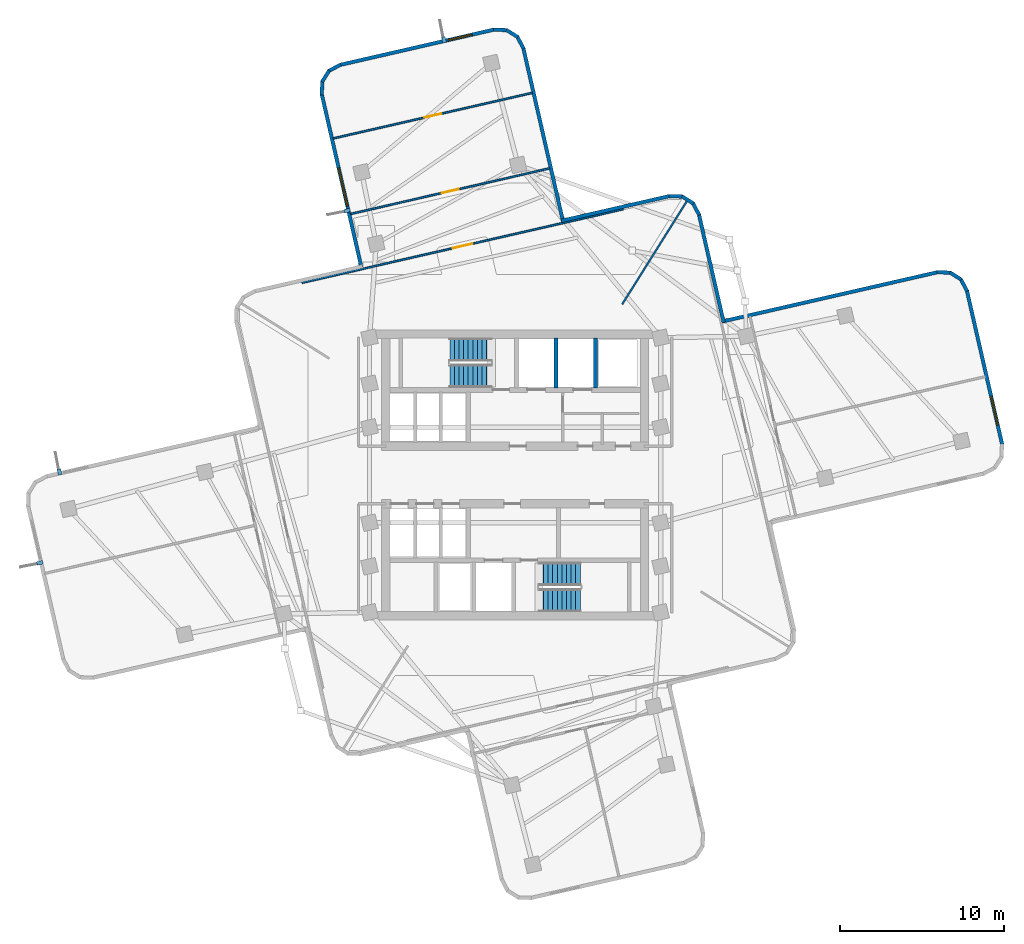
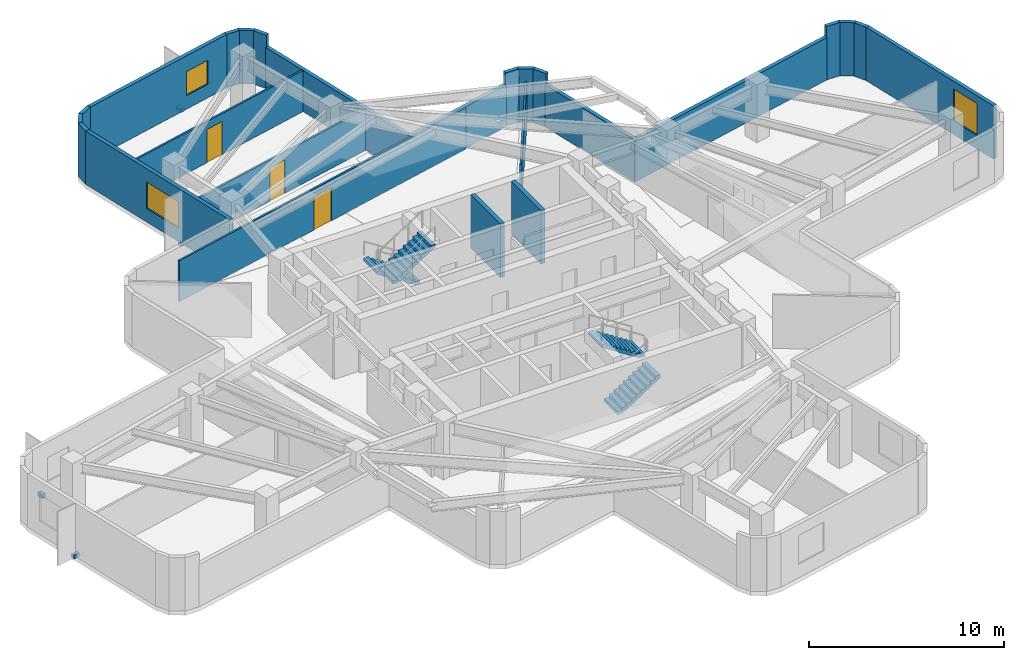
# One storey, part 5 of 8: 25 walls, 4 discrete accessories, 4 stair flights, 3 doors, 3 windows, 6 openings, 2 elements without a shape of their own.
"""IFC4 building model written with IfcOpenShell, lengths in metres."""

from ifc_helpers import new_model, si_unit, direction, frame, frame_2d, origin, origin_2d, place, context, subcontext, project, spatial, polyline, rectangle, outline, extrude, material, layer, layer_set, type_object, element, fill, aggregate, save


model = new_model("IFC4")

# Units and contexts
model_context = context("Model", 3, precision=1e-05, world=origin(), true_north=direction((0.0, 1.0)))
body_context = subcontext(model_context, "Body", "Model", "MODEL_VIEW")
ifc_project = project(units=[si_unit("LENGTHUNIT", "METRE"), si_unit("AREAUNIT", "SQUARE_METRE"), si_unit("VOLUMEUNIT", "CUBIC_METRE"), si_unit("PLANEANGLEUNIT", "RADIAN"), si_unit("MASSUNIT", "GRAM", prefix="KILO")], contexts=[model_context])

# Site, building, storey
site_placement = place(None, origin())
site = spatial("IfcSite", under=ifc_project, at=site_placement, CompositionType="ELEMENT")
building_placement = place(site_placement, origin())
building = spatial("IfcBuilding", under=site, at=building_placement, Name="Solmarez Civic Tower", CompositionType="ELEMENT")
storey_placement = place(building_placement, frame((0.0, 0.0, 123.47998046875)))
storey = spatial("IfcBuildingStorey", under=building, at=storey_placement, Name="L32", CompositionType="ELEMENT", Elevation=123.47998046875)

# Wall, opening, window
ifc_material_1 = material(Name="Precast concrete C40/50", Category="concrete")
ifc_layer_1 = layer(ifc_material_1, 0.219970703125)
ifc_layer_set_1 = layer_set([ifc_layer_1], Name="Precast concrete C40/50")
wall_type_1 = type_object("IfcWallType", Name="WALL-EXT-220", PredefinedType="SOLIDWALL", material=ifc_layer_set_1)
wall_1_placement = place(storey_placement, frame((-9.3349609375, 12.5849609375, 0.0), z_axis=(0.0, 0.0, 1.0), x_axis=(-0.22331741435, 0.974745778369, 0.0)))
wall_1 = element("IfcWall", 1, at=wall_1_placement, inside=storey, type_object=wall_type_1, Name="L32 Exterior Precast Wall 20", PredefinedType="SOLIDWALL", context=body_context, shape_type="SweptSolid", body=[
    extrude(rectangle(XDim=10.859130859375, YDim=0.219970703125, at=frame_2d((5.4296875, 0.0))), origin(), (0.0, 0.0, 1.0), 3.340087890625),
])
opening_1_placement = place(wall_1_placement, frame((3.85009765625, 0.0, 0.85009765625)))
opening_1 = element("IfcOpeningElement", 2, at=opening_1_placement, cuts=wall_1, Name="Opening W-10", PredefinedType="OPENING", context=body_context, shape_type="SweptSolid", body=[
    extrude(rectangle(XDim=2.39990234375, YDim=1.64990234375, at=frame_2d((1.199951171875, 0.824951171875))), frame((0.0, 0.119873046875, 0.0), z_axis=(0.0, -1.0, 0.0), x_axis=(1.0, 0.0, 0.0)), (0.0, 0.0, 1.0), 0.239990234375),
])
ifc_material_2 = material(Name="Solar Control Bronze-Tinted Insulating Glass", Category="glass")
window_type_1 = type_object("IfcWindowType", Name="WIN-2400X1650", PartitioningType="SINGLE_PANEL", PredefinedType="WINDOW", material=ifc_material_2)
window_1_placement = place(opening_1_placement, origin())
window_1 = element("IfcWindow", 3, at=window_1_placement, inside=storey, type_object=window_type_1, Name="L32 Exterior Facade Window 20", OverallHeight=1.64990234375, OverallWidth=2.39990234375, PartitioningType="SINGLE_PANEL", PredefinedType="WINDOW", context=body_context, shape_type="SweptSolid", body=[
    extrude(rectangle(XDim=2.39990234375, YDim=1.64990234375, at=frame_2d((1.199951171875, 0.824951171875))), frame((0.0, 0.030029296875, 0.0), z_axis=(0.0, -1.0, 0.0), x_axis=(1.0, 0.0, 0.0)), (0.0, 0.0, 1.0), 0.06005859375),
])
fill(opening_1, window_1)

# Walls
wall_2_placement = place(storey_placement, frame((-11.7548828125, 23.12109375, 0.0), z_axis=(0.0, 0.0, 1.0), x_axis=(0.036903333482, 0.999318839999, 0.0)))
element("IfcWall", 4, at=wall_2_placement, inside=storey, type_object=wall_type_1, Name="L32 Exterior Precast Wall 21", PredefinedType="SOLIDWALL", context=body_context, shape_type="SweptSolid", body=[
    extrude(rectangle(XDim=0.83349609375, YDim=0.219970703125, at=frame_2d((0.416748046875, 0.0))), origin(), (0.0, 0.0, 1.0), 3.340087890625),
])
wall_3_placement = place(storey_placement, frame((-11.738037109375, 23.907958984375, 0.0), z_axis=(0.0, 0.0, 1.0), x_axis=(0.531096868492, 0.847311109497, 0.0)))
element("IfcWall", 5, at=wall_3_placement, inside=storey, type_object=wall_type_1, Name="L32 Exterior Precast Wall 22", PredefinedType="SOLIDWALL", context=body_context, shape_type="SweptSolid", body=[
    extrude(rectangle(XDim=0.819091796875, YDim=0.219970703125, at=frame_2d((0.40966796875, 0.0))), origin(), (0.0, 0.0, 1.0), 3.340087890625),
])
wall_4_placement = place(storey_placement, frame((-11.337890625, 24.569091796875, 0.0), z_axis=(0.0, 0.0, 1.0), x_axis=(0.883396009524, 0.468627240307, 0.0)))
element("IfcWall", 6, at=wall_4_placement, inside=storey, type_object=wall_type_1, Name="L32 Exterior Precast Wall 23", PredefinedType="SOLIDWALL", context=body_context, shape_type="SweptSolid", body=[
    extrude(rectangle(XDim=0.833984375, YDim=0.219970703125, at=frame_2d((0.4169921875, 0.0))), origin(), (0.0, 0.0, 1.0), 3.340087890625),
])

# Wall, opening, window
wall_5_placement = place(storey_placement, frame((-10.64697265625, 24.94189453125, 0.0), z_axis=(0.0, 0.0, 1.0), x_axis=(0.974725871537, 0.223404286793, 0.0)))
wall_5 = element("IfcWall", 7, at=wall_5_placement, inside=storey, type_object=wall_type_1, Name="L32 Exterior Precast Wall 24", PredefinedType="SOLIDWALL", context=body_context, shape_type="SweptSolid", body=[
    extrude(rectangle(XDim=9.6201171875, YDim=0.219970703125, at=frame_2d((4.81005859375, 0.0))), origin(), (0.0, 0.0, 1.0), 3.340087890625),
])
opening_2_placement = place(wall_5_placement, frame((6.75390625, 0.0, 0.85009765625)))
opening_2 = element("IfcOpeningElement", 8, at=opening_2_placement, cuts=wall_5, Name="Opening W-14", PredefinedType="OPENING", context=body_context, shape_type="SweptSolid", body=[
    extrude(rectangle(XDim=1.5, YDim=1.5, at=frame_2d((0.75, 0.75))), frame((0.0, 0.119873046875, 0.0), z_axis=(0.0, -1.0, 0.0), x_axis=(1.0, 0.0, 0.0)), (0.0, 0.0, 1.0), 0.239990234375),
])
window_type_2 = type_object("IfcWindowType", Name="WIN-1500X1500", PartitioningType="SINGLE_PANEL", PredefinedType="WINDOW", material=ifc_material_2)
window_2_placement = place(opening_2_placement, origin())
window_2 = element("IfcWindow", 9, at=window_2_placement, inside=storey, type_object=window_type_2, Name="L32 Exterior Facade Window 24", OverallHeight=1.5, OverallWidth=1.5, PartitioningType="SINGLE_PANEL", PredefinedType="WINDOW", context=body_context, shape_type="SweptSolid", body=[
    extrude(rectangle(XDim=1.5, YDim=1.5, at=frame_2d((0.75, 0.75))), frame((0.0, 0.030029296875, 0.0), z_axis=(0.0, -1.0, 0.0), x_axis=(1.0, 0.0, 0.0)), (0.0, 0.0, 1.0), 0.06005859375),
])
fill(opening_2, window_2)

# Walls
wall_6_placement = place(storey_placement, frame((-1.319091796875, 27.0859375, 0.0), z_axis=(0.0, 0.0, 1.0), x_axis=(0.999309614288, -0.037152318798, 0.0)))
element("IfcWall", 10, at=wall_6_placement, inside=storey, type_object=wall_type_1, Name="L32 Exterior Precast Wall 25", PredefinedType="SOLIDWALL", context=body_context, shape_type="SweptSolid", body=[
    extrude(rectangle(XDim=0.83447265625, YDim=0.219970703125, at=frame_2d((0.417236328125, 0.0))), origin(), (0.0, 0.0, 1.0), 3.340087890625),
])
wall_7_placement = place(storey_placement, frame((-0.531005859375, 27.069091796875, 0.0), z_axis=(0.0, 0.0, 1.0), x_axis=(0.847311109497, -0.531096868492, 0.0)))
element("IfcWall", 11, at=wall_7_placement, inside=storey, type_object=wall_type_1, Name="L32 Exterior Precast Wall 26", PredefinedType="SOLIDWALL", context=body_context, shape_type="SweptSolid", body=[
    extrude(rectangle(XDim=0.819091796875, YDim=0.219970703125, at=frame_2d((0.40966796875, 0.0))), origin(), (0.0, 0.0, 1.0), 3.340087890625),
])
wall_8_placement = place(storey_placement, frame((0.1298828125, 26.6689453125, 0.0), z_axis=(0.0, 0.0, 1.0), x_axis=(0.468734444521, -0.883339131092, 0.0)))
element("IfcWall", 12, at=wall_8_placement, inside=storey, type_object=wall_type_1, Name="L32 Exterior Precast Wall 27", PredefinedType="SOLIDWALL", context=body_context, shape_type="SweptSolid", body=[
    extrude(rectangle(XDim=0.83447265625, YDim=0.219970703125, at=frame_2d((0.417236328125, 0.0))), origin(), (0.0, 0.0, 1.0), 3.340087890625),
])
wall_9_placement = place(storey_placement, frame((0.5029296875, 25.97802734375, 0.0), z_axis=(0.0, 0.0, 1.0), x_axis=(0.223251537739, -0.974760868571, 0.0)))
element("IfcWall", 13, at=wall_9_placement, inside=storey, type_object=wall_type_1, Name="L32 Exterior Precast Wall 28", PredefinedType="SOLIDWALL", context=body_context, shape_type="SweptSolid", body=[
    extrude(rectangle(XDim=10.85791015625, YDim=0.219970703125, at=frame_2d((5.428955078125, 0.0))), origin(), (0.0, 0.0, 1.0), 2.570068359375),
])
wall_10_placement = place(storey_placement, frame((2.821044921875, 15.4599609375, 0.0), z_axis=(0.0, 0.0, 1.0), x_axis=(0.974754598481, 0.223278912438, 0.0)))
element("IfcWall", 14, at=wall_10_placement, inside=storey, type_object=wall_type_1, Name="L32 Exterior Precast Wall 31", PredefinedType="SOLIDWALL", context=body_context, shape_type="SweptSolid", body=[
    extrude(rectangle(XDim=6.758544921875, YDim=0.219970703125, at=frame_2d((3.37939453125, 0.0))), origin(), (0.0, 0.0, 1.0), 2.570068359375),
])
wall_11_placement = place(storey_placement, frame((9.360107421875, 16.964111328125, 0.0), z_axis=(0.0, 0.0, 1.0), x_axis=(0.999352376715, -0.035983706773, 0.0)))
element("IfcWall", 15, at=wall_11_placement, inside=storey, type_object=wall_type_1, Name="L32 Exterior Precast Wall 32", PredefinedType="SOLIDWALL", context=body_context, shape_type="SweptSolid", body=[
    extrude(rectangle(XDim=0.83447265625, YDim=0.219970703125, at=frame_2d((0.417236328125, 0.0))), origin(), (0.0, 0.0, 1.0), 3.340087890625),
])
wall_12_placement = place(storey_placement, frame((10.14794921875, 16.947998046875, 0.0), z_axis=(0.0, 0.0, 1.0), x_axis=(0.847311109497, -0.531096868492, 0.0)))
element("IfcWall", 16, at=wall_12_placement, inside=storey, type_object=wall_type_1, Name="L32 Exterior Precast Wall 33", PredefinedType="SOLIDWALL", context=body_context, shape_type="SweptSolid", body=[
    extrude(rectangle(XDim=0.819091796875, YDim=0.219970703125, at=frame_2d((0.40966796875, 0.0))), origin(), (0.0, 0.0, 1.0), 3.340087890625),
])
wall_13_placement = place(storey_placement, frame((10.80908203125, 16.548095703125, 0.0), z_axis=(0.0, 0.0, 1.0), x_axis=(0.468506090516, -0.883460266876, 0.0)))
element("IfcWall", 17, at=wall_13_placement, inside=storey, type_object=wall_type_1, Name="L32 Exterior Precast Wall 34", PredefinedType="SOLIDWALL", context=body_context, shape_type="SweptSolid", body=[
    extrude(rectangle(XDim=0.834228515625, YDim=0.219970703125, at=frame_2d((0.4169921875, 0.0))), origin(), (0.0, 0.0, 1.0), 3.340087890625),
])
wall_14_placement = place(storey_placement, frame((11.181884765625, 15.85693359375, 0.0), z_axis=(0.0, 0.0, 1.0), x_axis=(0.223278912438, -0.974754598481, 0.0)))
element("IfcWall", 18, at=wall_14_placement, inside=storey, type_object=wall_type_1, Name="L32 Exterior Precast Wall 35", PredefinedType="SOLIDWALL", context=body_context, shape_type="SweptSolid", body=[
    extrude(rectangle(XDim=6.758544921875, YDim=0.219970703125, at=frame_2d((3.37939453125, 0.0))), origin(), (0.0, 0.0, 1.0), 2.64404296875),
])
wall_15_placement = place(storey_placement, frame((12.5849609375, 9.3349609375, 0.0), z_axis=(0.0, 0.0, 1.0), x_axis=(0.974754036658, 0.223281365141, 0.0)))
element("IfcWall", 19, at=wall_15_placement, inside=storey, type_object=wall_type_1, Name="L32 Exterior Precast Wall 38", PredefinedType="SOLIDWALL", context=body_context, shape_type="SweptSolid", body=[
    extrude(rectangle(XDim=13.458984375, YDim=0.219970703125, at=frame_2d((6.7294921875, 0.0))), origin(), (0.0, 0.0, 1.0), 2.64404296875),
])
wall_16_placement = place(storey_placement, frame((25.655029296875, 12.3349609375, 0.0), z_axis=(0.0, 0.0, 1.0), x_axis=(0.999352376715, -0.035983706773, 0.0)))
element("IfcWall", 20, at=wall_16_placement, inside=storey, type_object=wall_type_1, Name="L32 Exterior Precast Wall 39", PredefinedType="SOLIDWALL", context=body_context, shape_type="SweptSolid", body=[
    extrude(rectangle(XDim=0.83447265625, YDim=0.219970703125, at=frame_2d((0.417236328125, 0.0))), origin(), (0.0, 0.0, 1.0), 3.340087890625),
])
wall_17_placement = place(storey_placement, frame((26.443115234375, 12.319091796875, 0.0), z_axis=(0.0, 0.0, 1.0), x_axis=(0.846889988853, -0.531768132536, 0.0)))
element("IfcWall", 21, at=wall_17_placement, inside=storey, type_object=wall_type_1, Name="L32 Exterior Precast Wall 40", PredefinedType="SOLIDWALL", context=body_context, shape_type="SweptSolid", body=[
    extrude(rectangle(XDim=0.818115234375, YDim=0.219970703125, at=frame_2d((0.4091796875, 0.0))), origin(), (0.0, 0.0, 1.0), 3.340087890625),
])
wall_18_placement = place(storey_placement, frame((27.10302734375, 11.9189453125, 0.0), z_axis=(0.0, 0.0, 1.0), x_axis=(0.468506090516, -0.883460266876, 0.0)))
element("IfcWall", 22, at=wall_18_placement, inside=storey, type_object=wall_type_1, Name="L32 Exterior Precast Wall 41", PredefinedType="SOLIDWALL", context=body_context, shape_type="SweptSolid", body=[
    extrude(rectangle(XDim=0.834228515625, YDim=0.219970703125, at=frame_2d((0.4169921875, 0.0))), origin(), (0.0, 0.0, 1.0), 3.340087890625),
])

# Wall, opening, window
wall_19_placement = place(storey_placement, frame((27.47607421875, 11.22802734375, 0.0), z_axis=(0.0, 0.0, 1.0), x_axis=(0.223358074049, -0.974736462208, 0.0)))
wall_19 = element("IfcWall", 23, at=wall_19_placement, inside=storey, type_object=wall_type_1, Name="L32 Exterior Precast Wall 42", PredefinedType="SOLIDWALL", context=body_context, shape_type="SweptSolid", body=[
    extrude(rectangle(XDim=9.62109375, YDim=0.219970703125, at=frame_2d((4.810546875, 0.0))), origin(), (0.0, 0.0, 1.0), 3.340087890625),
])
opening_3_placement = place(wall_19_placement, frame((6.60400390625, 0.0, 0.85009765625)))
opening_3 = element("IfcOpeningElement", 24, at=opening_3_placement, cuts=wall_19, Name="Opening W-04", PredefinedType="OPENING", context=body_context, shape_type="SweptSolid", body=[
    extrude(rectangle(XDim=1.800048828125, YDim=2.0, at=frame_2d((0.89990234375, 1.0))), frame((0.0, 0.119873046875, 0.0), z_axis=(0.0, -1.0, 0.0), x_axis=(1.0, 0.0, 0.0)), (0.0, 0.0, 1.0), 0.239990234375),
])
window_type_3 = type_object("IfcWindowType", Name="WIN-1800X2000", PartitioningType="SINGLE_PANEL", PredefinedType="WINDOW", material=ifc_material_2)
window_3_placement = place(opening_3_placement, origin())
window_3 = element("IfcWindow", 25, at=window_3_placement, inside=storey, type_object=window_type_3, Name="L32 Exterior Facade Window 42", OverallHeight=2.0, OverallWidth=1.800048828125, PartitioningType="SINGLE_PANEL", PredefinedType="WINDOW", context=body_context, shape_type="SweptSolid", body=[
    extrude(rectangle(XDim=1.800048828125, YDim=2.0, at=frame_2d((0.89990234375, 1.0))), frame((0.0, 0.030029296875, 0.0), z_axis=(0.0, -1.0, 0.0), x_axis=(1.0, 0.0, 0.0)), (0.0, 0.0, 1.0), 0.06005859375),
])
fill(opening_3, window_3)

# Wall
ifc_material_3 = material(Name="Gypsum Board Acoustic Steel-Stud Partition", Category="steel")
ifc_layer_2 = layer(ifc_material_3, 0.110107421875)
ifc_layer_set_2 = layer_set([ifc_layer_2], Name="Gypsum Board Acoustic Steel-Stud Partition")
wall_type_2 = type_object("IfcWallType", Name="WALL-INT-PART-110", PredefinedType="PARTITIONING", material=ifc_layer_set_2)
wall_20_placement = place(storey_placement, frame((6.511962890625, 10.3798828125, 0.0), z_axis=(0.0, 0.0, 1.0), x_axis=(0.531323053356, 0.847169294163, 0.0)))
element("IfcWall", 26, at=wall_20_placement, inside=storey, type_object=wall_type_2, Name="L32 Interior Partition PT-L32-QDIV-1", PredefinedType="PARTITIONING", context=body_context, shape_type="SweptSolid", body=[
    extrude(rectangle(XDim=7.42138671875, YDim=0.110107421875, at=frame_2d((3.710693359375, 0.0))), origin(), (0.0, 0.0, 1.0), 2.570068359375),
])

# Wall, opening, door
wall_21_placement = place(storey_placement, frame((-12.95703125, 11.69189453125, 0.0), z_axis=(0.0, 0.0, 1.0), x_axis=(0.97475845088, 0.223262093598, 0.0)))
wall_21 = element("IfcWall", 27, at=wall_21_placement, inside=storey, type_object=wall_type_2, Name="L32 Interior Partition PT-L32-N-ENT", PredefinedType="PARTITIONING", context=body_context, shape_type="SweptSolid", body=[
    extrude(rectangle(XDim=20.039794921875, YDim=0.110107421875, at=frame_2d((10.02001953125, 0.0))), origin(), (0.0, 0.0, 1.0), 2.570068359375),
])
opening_4_placement = place(wall_21_placement, frame((9.419921875, 0.0, 0.0)))
opening_4 = element("IfcOpeningElement", 28, at=opening_4_placement, cuts=wall_21, Name="Opening D-11", PredefinedType="OPENING", context=body_context, shape_type="SweptSolid", body=[
    extrude(rectangle(XDim=1.199951171875, YDim=2.10009765625, at=frame_2d((0.60009765625, 1.050048828125))), frame((0.0, 0.06494140625, 0.0), z_axis=(0.0, -1.0, 0.0), x_axis=(1.0, 0.0, 0.0)), (0.0, 0.0, 1.0), 0.130126953125),
])
ifc_material_4 = material(Name="Glazed-Vision Acoustic Chamber Door", Category="wood")
door_type_1 = type_object("IfcDoorType", Name="DOOR-INT-1200", OperationType="NOTDEFINED", PredefinedType="DOOR", material=ifc_material_4)
door_1_placement = place(opening_4_placement, origin())
door_1 = element("IfcDoor", 29, at=door_1_placement, inside=storey, type_object=door_type_1, Name="L32 Civic Seminar Classroom First North Door", OperationType="SINGLE_SWING_LEFT", OverallHeight=2.10009765625, OverallWidth=1.199951171875, PredefinedType="DOOR", context=body_context, shape_type="SweptSolid", body=[
    extrude(rectangle(XDim=1.199951171875, YDim=2.10009765625, at=frame_2d((0.60009765625, 1.050048828125))), frame((0.0, 0.02490234375, 0.0), z_axis=(0.0, -1.0, 0.0), x_axis=(1.0, 0.0, 0.0)), (0.0, 0.0, 1.0), 0.050048828125),
])
fill(opening_4, door_1)

wall_22_placement = place(storey_placement, frame((-10.011962890625, 15.875, 0.0), z_axis=(0.0, 0.0, 1.0), x_axis=(0.974744523099, 0.223322893337, 0.0)))
wall_22 = element("IfcWall", 30, at=wall_22_placement, inside=storey, type_object=wall_type_2, Name="L32 Interior Partition PT-L32-N-SC1", PredefinedType="PARTITIONING", context=body_context, shape_type="SweptSolid", body=[
    extrude(rectangle(XDim=12.429931640625, YDim=0.110107421875, at=frame_2d((6.21484375, 0.0))), origin(), (0.0, 0.0, 1.0), 2.570068359375),
])
opening_5_placement = place(wall_22_placement, frame((5.68994140625, 0.0, 0.0)))
opening_5 = element("IfcOpeningElement", 31, at=opening_5_placement, cuts=wall_22, Name="Opening D-13", PredefinedType="OPENING", context=body_context, shape_type="SweptSolid", body=[
    extrude(rectangle(XDim=1.050048828125, YDim=2.080078125, at=frame_2d((0.52490234375, 1.0400390625))), frame((0.0, 0.06494140625, 0.0), z_axis=(0.0, -1.0, 0.0), x_axis=(1.0, 0.0, 0.0)), (0.0, 0.0, 1.0), 0.130126953125),
])
ifc_material_5 = material(Name="Timber Directorate Office Door", Category="wood")
door_type_2 = type_object("IfcDoorType", Name="DOOR-INT-1050", OperationType="NOTDEFINED", PredefinedType="DOOR", material=ifc_material_5)
door_2_placement = place(opening_5_placement, origin())
door_2 = element("IfcDoor", 32, at=door_2_placement, inside=storey, type_object=door_type_2, Name="L32 Public Law Reading Room North Door", OperationType="SINGLE_SWING_LEFT", OverallHeight=2.080078125, OverallWidth=1.050048828125, PredefinedType="DOOR", context=body_context, shape_type="SweptSolid", body=[
    extrude(rectangle(XDim=1.050048828125, YDim=2.080078125, at=frame_2d((0.52490234375, 1.0400390625))), frame((0.0, 0.02490234375, 0.0), z_axis=(0.0, -1.0, 0.0), x_axis=(1.0, 0.0, 0.0)), (0.0, 0.0, 1.0), 0.050048828125),
])
fill(opening_5, door_2)

wall_23_placement = place(storey_placement, frame((-11.06298828125, 20.466064453125, 0.0), z_axis=(0.0, 0.0, 1.0), x_axis=(0.974744523099, 0.223322893337, 0.0)))
wall_23 = element("IfcWall", 33, at=wall_23_placement, inside=storey, type_object=wall_type_2, Name="L32 Interior Partition PT-L32-N-SC2", PredefinedType="PARTITIONING", context=body_context, shape_type="SweptSolid", body=[
    extrude(rectangle(XDim=12.429931640625, YDim=0.110107421875, at=frame_2d((6.21484375, 0.0))), origin(), (0.0, 0.0, 1.0), 2.570068359375),
])
opening_6_placement = place(wall_23_placement, frame((5.68994140625, 0.0, 0.0)))
opening_6 = element("IfcOpeningElement", 34, at=opening_6_placement, cuts=wall_23, Name="Opening D-13", PredefinedType="OPENING", context=body_context, shape_type="SweptSolid", body=[
    extrude(rectangle(XDim=1.050048828125, YDim=2.080078125, at=frame_2d((0.52490234375, 1.0400390625))), frame((0.0, 0.06494140625, 0.0), z_axis=(0.0, -1.0, 0.0), x_axis=(1.0, 0.0, 0.0)), (0.0, 0.0, 1.0), 0.130126953125),
])
door_3_placement = place(opening_6_placement, origin())
door_3 = element("IfcDoor", 35, at=door_3_placement, inside=storey, type_object=door_type_2, Name="L32 Municipal Co-Working Office North Door", OperationType="SINGLE_SWING_RIGHT", OverallHeight=2.080078125, OverallWidth=1.050048828125, PredefinedType="DOOR", context=body_context, shape_type="SweptSolid", body=[
    extrude(rectangle(XDim=1.050048828125, YDim=2.080078125, at=frame_2d((0.52490234375, 1.0400390625))), frame((0.0, 0.02490234375, 0.0), z_axis=(0.0, -1.0, 0.0), x_axis=(1.0, 0.0, 0.0)), (0.0, 0.0, 1.0), 0.050048828125),
])
fill(opening_6, door_3)

# Walls
ifc_material_6 = material(Name="Concrete C50/60", Category="concrete")
ifc_layer_3 = layer(ifc_material_6, 0.300048828125)
ifc_layer_set_3 = layer_set([ifc_layer_3], Name="Concrete C50/60")
wall_type_3 = type_object("IfcWallType", Name="WALL-STR-300", PredefinedType="SOLIDWALL", material=ifc_layer_set_3)
for number, where, z_axis, x_axis, name in (
    (36, (2.5, 5.300048828125, 0.0), (0.0, 0.0, 1.0), (0.0, 1.0, 0.0), "L32 Split-Core Structural Wall SHW-N2-L32"),
    (37, (4.89990234375, 5.300048828125, 0.0), (0.0, 0.0, 1.0), (0.0, 1.0, 0.0), "L32 Split-Core Structural Wall SHW-N3-L32"),
):
    element("IfcWall", number, at=place(storey_placement, frame(where, z_axis=z_axis, x_axis=x_axis)), inside=storey, type_object=wall_type_3, Name=name, PredefinedType="SOLIDWALL", context=body_context, shape_type="SweptSolid", body=[
        extrude(rectangle(XDim=3.0400390625, YDim=0.25, at=frame_2d((1.52001953125, 0.0))), origin(), (0.0, 0.0, 1.0), 3.340087890625),
    ])

# Stair, stair flights
stair_type = type_object("IfcStairType", Name="STAIR-DOGLEG-140W-20R-1800", PredefinedType="HALF_TURN_STAIR", material=ifc_material_6)
stair_1_placement = place(storey_placement, origin())
stair_1 = element("IfcStair", 38, at=stair_1_placement, inside=storey, type_object=stair_type, Name="L32 North Core Protected Exit Stair ST-1", PredefinedType="HALF_TURN_STAIR")
stair_flight_type = type_object("IfcStairFlightType", Name="FLIGHT-DOGLEG-140W-10R-1800", PredefinedType="STRAIGHT", material=ifc_material_6)
stair_flight_1_placement = place(storey_placement, frame((-1.449951171875, 7.6201171875, 0.0), z_axis=(0.0, 0.0, 1.0), x_axis=(-1.0, 0.0, 0.0)))
stair_flight_1 = element("IfcStairFlight", 39, at=stair_flight_1_placement, type_object=stair_flight_type, Name="ST-1 flight 1", NumberOfRisers=10, NumberOfTreads=9, PredefinedType="STRAIGHT", RiserHeight=0.18, TreadLength=0.28, context=body_context, shape_type="SweptSolid", body=[
    extrude(outline(polyline([(0.0, 0.0), (0.0, 0.179931640625), (0.280029296875, 0.179931640625), (0.280029296875, 0.360107421875), (0.56005859375, 0.360107421875), (0.56005859375, 0.5400390625), (0.840087890625, 0.5400390625), (0.840087890625, 0.719970703125), (1.1201171875, 0.719970703125), (1.1201171875, 0.89990234375), (1.39990234375, 0.89990234375), (1.39990234375, 1.080078125), (1.679931640625, 1.080078125), (1.679931640625, 1.260009765625), (1.9599609375, 1.260009765625), (1.9599609375, 1.43994140625), (2.239990234375, 1.43994140625), (2.239990234375, 1.6201171875), (2.52001953125, 1.6201171875), (2.52001953125, 1.800048828125), (2.52001953125, 1.429931640625), (0.295654296875, 0.0), (0.0, 0.0)])), frame((0.0, 0.699951171875, 0.0), z_axis=(0.0, -1.0, 0.0), x_axis=(1.0, 0.0, 0.0)), (0.0, 0.0, 1.0), 1.39990234375),
])
stair_flight_2_placement = place(storey_placement, frame((-3.969970703125, 6.02001953125, 1.800048828125), z_axis=(0.0, 0.0, 1.0), x_axis=(1.0, 0.0, 0.0)))
stair_flight_2 = element("IfcStairFlight", 40, at=stair_flight_2_placement, type_object=stair_flight_type, Name="ST-1 flight 2", NumberOfRisers=10, NumberOfTreads=9, PredefinedType="STRAIGHT", RiserHeight=0.18, TreadLength=0.28, context=body_context, shape_type="SweptSolid", body=[
    extrude(outline(polyline([(0.0, 0.0), (0.0, 0.179931640625), (0.280029296875, 0.179931640625), (0.280029296875, 0.360107421875), (0.56005859375, 0.360107421875), (0.56005859375, 0.5400390625), (0.840087890625, 0.5400390625), (0.840087890625, 0.719970703125), (1.1201171875, 0.719970703125), (1.1201171875, 0.89990234375), (1.39990234375, 0.89990234375), (1.39990234375, 1.080078125), (1.679931640625, 1.080078125), (1.679931640625, 1.260009765625), (1.9599609375, 1.260009765625), (1.9599609375, 1.43994140625), (2.239990234375, 1.43994140625), (2.239990234375, 1.6201171875), (2.52001953125, 1.6201171875), (2.52001953125, 1.800048828125), (2.52001953125, 1.429931640625), (0.295654296875, 0.0), (0.0, 0.0)])), frame((0.0, 0.699951171875, 0.0), z_axis=(0.0, -1.0, 0.0), x_axis=(1.0, 0.0, 0.0)), (0.0, 0.0, 1.0), 1.39990234375),
])
aggregate(stair_1, [stair_flight_1, stair_flight_2])

stair_2_placement = place(storey_placement, origin())
stair_2 = element("IfcStair", 41, at=stair_2_placement, inside=storey, type_object=stair_type, Name="L32 South Core Protected Exit Stair ST-2", PredefinedType="HALF_TURN_STAIR")
stair_flight_3_placement = place(storey_placement, frame((1.449951171875, -7.6201171875, 0.0), z_axis=(0.0, 0.0, 1.0), x_axis=(1.0, 0.0, 0.0)))
stair_flight_3 = element("IfcStairFlight", 42, at=stair_flight_3_placement, type_object=stair_flight_type, Name="ST-2 flight 1", NumberOfRisers=10, NumberOfTreads=9, PredefinedType="STRAIGHT", RiserHeight=0.18, TreadLength=0.28, context=body_context, shape_type="SweptSolid", body=[
    extrude(outline(polyline([(0.0, 0.0), (0.0, 0.179931640625), (0.280029296875, 0.179931640625), (0.280029296875, 0.360107421875), (0.56005859375, 0.360107421875), (0.56005859375, 0.5400390625), (0.840087890625, 0.5400390625), (0.840087890625, 0.719970703125), (1.1201171875, 0.719970703125), (1.1201171875, 0.89990234375), (1.39990234375, 0.89990234375), (1.39990234375, 1.080078125), (1.679931640625, 1.080078125), (1.679931640625, 1.260009765625), (1.9599609375, 1.260009765625), (1.9599609375, 1.43994140625), (2.239990234375, 1.43994140625), (2.239990234375, 1.6201171875), (2.52001953125, 1.6201171875), (2.52001953125, 1.800048828125), (2.52001953125, 1.429931640625), (0.295654296875, 0.0), (0.0, 0.0)])), frame((0.0, 0.699951171875, 0.0), z_axis=(0.0, -1.0, 0.0), x_axis=(1.0, 0.0, 0.0)), (0.0, 0.0, 1.0), 1.39990234375),
])
stair_flight_4_placement = place(storey_placement, frame((3.969970703125, -6.02001953125, 1.800048828125), z_axis=(0.0, 0.0, 1.0), x_axis=(-1.0, 0.0, 0.0)))
stair_flight_4 = element("IfcStairFlight", 43, at=stair_flight_4_placement, type_object=stair_flight_type, Name="ST-2 flight 2", NumberOfRisers=10, NumberOfTreads=9, PredefinedType="STRAIGHT", RiserHeight=0.18, TreadLength=0.28, context=body_context, shape_type="SweptSolid", body=[
    extrude(outline(polyline([(0.0, 0.0), (0.0, 0.179931640625), (0.280029296875, 0.179931640625), (0.280029296875, 0.360107421875), (0.56005859375, 0.360107421875), (0.56005859375, 0.5400390625), (0.840087890625, 0.5400390625), (0.840087890625, 0.719970703125), (1.1201171875, 0.719970703125), (1.1201171875, 0.89990234375), (1.39990234375, 0.89990234375), (1.39990234375, 1.080078125), (1.679931640625, 1.080078125), (1.679931640625, 1.260009765625), (1.9599609375, 1.260009765625), (1.9599609375, 1.43994140625), (2.239990234375, 1.43994140625), (2.239990234375, 1.6201171875), (2.52001953125, 1.6201171875), (2.52001953125, 1.800048828125), (2.52001953125, 1.429931640625), (0.295654296875, 0.0), (0.0, 0.0)])), frame((0.0, 0.699951171875, 0.0), z_axis=(0.0, -1.0, 0.0), x_axis=(1.0, 0.0, 0.0)), (0.0, 0.0, 1.0), 1.39990234375),
])
aggregate(stair_2, [stair_flight_3, stair_flight_4])

# Discrete accessories
ifc_material_7 = material(Name="Stainless Steel Grade 1.4401", Category="steel")
discrete_accessory_type = type_object("IfcDiscreteAccessoryType", Name="BRACKET-SS-FIN", PredefinedType="BRACKET", material=ifc_material_7)
for number, where, z_axis, x_axis, name in (
    (44, (-28.906005859375, -5.344970703125, -0.06005859375), (0.0, 0.0, 1.0), (-0.974757903284, -0.223264484379, 0.0), "L32 Stainless Fin Support Bracket FIN-L32-01"),
    (45, (-27.700927734375, 0.18994140625, -0.06005859375), (0.0, 0.0, 1.0), (-0.223233760459, 0.974764939968, 0.0), "L32 Stainless Fin Support Bracket FIN-L32-02"),
    (46, (-10.217041015625, 16.075927734375, -0.06005859375), (0.0, 0.0, 1.0), (-0.97476312331, -0.223241692867, 0.0), "L32 Stainless Fin Support Bracket FIN-L32-03"),
    (47, (-4.324951171875, 26.471923828125, -0.06005859375), (0.0, 0.0, 1.0), (-0.223287223556, 0.974752694685, 0.0), "L32 Stainless Fin Support Bracket FIN-L32-04"),
):
    element("IfcDiscreteAccessory", number, at=place(storey_placement, frame(where, z_axis=z_axis, x_axis=x_axis)), inside=storey, type_object=discrete_accessory_type, Name=name, PredefinedType="BRACKET", context=body_context, shape_type="SweptSolid", body=[
        extrude(rectangle(XDim=0.360107421875, YDim=0.219970703125, at=origin_2d()), origin(), (0.0, 0.0, 1.0), 0.239990234375),
    ])

save(model, "model.ifc")
